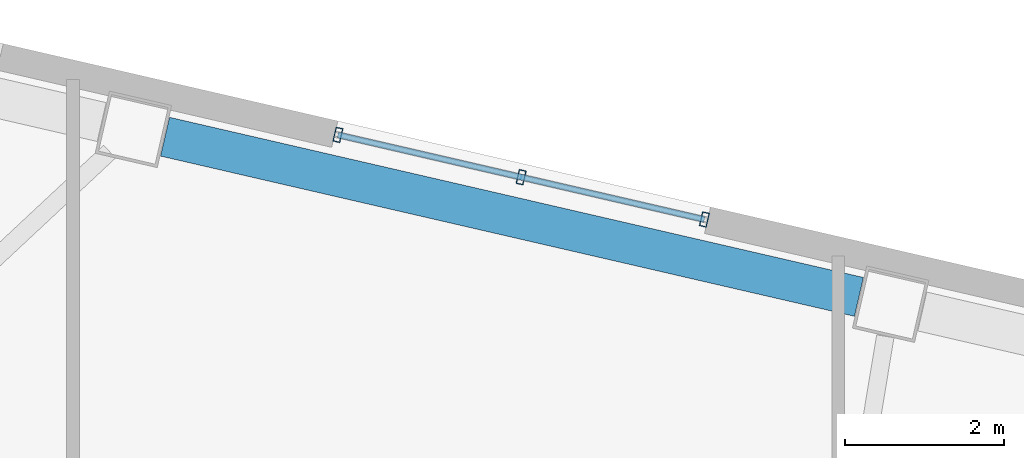
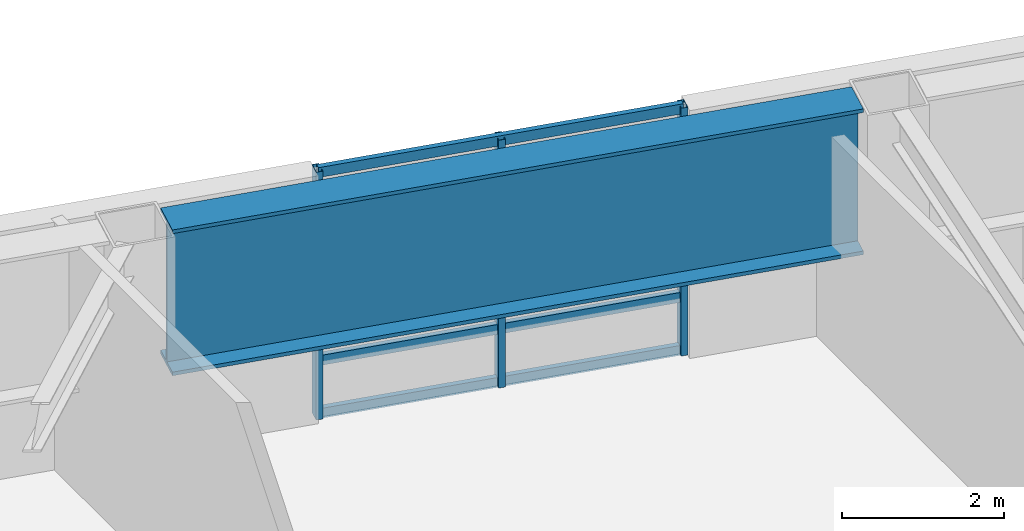
# One storey, part 6 of 21: 6 members, 1 beam, 1 element without a shape of its own.
"""IFC4 building model written with IfcOpenShell, lengths in metres."""

from ifc_helpers import new_model, si_unit, direction, frame, origin, origin_2d, place, context, subcontext, project, spatial, hollow_rectangle, i_section, extrude, material, layer, layer_set, material_profile, profile_set, type_object, element, aggregate, save


model = new_model("IFC4")

# Units and contexts
model_context = context("Model", 3, precision=1e-05, world=origin(), true_north=direction((0.0, 1.0)))
body_context = subcontext(model_context, "Body", "Model", "MODEL_VIEW")
ifc_project = project(units=[si_unit("LENGTHUNIT", "METRE"), si_unit("AREAUNIT", "SQUARE_METRE"), si_unit("VOLUMEUNIT", "CUBIC_METRE"), si_unit("PLANEANGLEUNIT", "RADIAN"), si_unit("MASSUNIT", "GRAM", prefix="KILO")], contexts=[model_context])

# Site, building, storey
site_placement = place(None, origin())
site = spatial("IfcSite", under=ifc_project, at=site_placement, CompositionType="ELEMENT")
building_placement = place(site_placement, origin())
building = spatial("IfcBuilding", under=site, at=building_placement, Name="Tavrogorsk Clinical Tower", CompositionType="ELEMENT")
storey_placement = place(building_placement, frame((0.0, 0.0, 59.39990234375)))
storey = spatial("IfcBuildingStorey", under=building, at=storey_placement, Name="L12", CompositionType="ELEMENT", Elevation=59.39990234375)

# Curtain wall, members
ifc_material_1 = material(Name="Anodised aluminium and triple IGU glazing", Category="aluminium")
ifc_layer = layer(ifc_material_1, 0.179931640625)
ifc_layer_set = layer_set([ifc_layer], Name="Anodised aluminium and triple IGU glazing")
curtain_wall_type = type_object("IfcCurtainWallType", Name="CW2_NorthSlot", PredefinedType="NOTDEFINED", material=ifc_layer_set)
curtain_wall_placement = place(storey_placement, origin())
curtain_wall = element("IfcCurtainWall", 1, at=curtain_wall_placement, inside=storey, type_object=curtain_wall_type, Name="L12 Curtain Wall CW-L12-N-SLOT-1", PredefinedType="NOTDEFINED")
ifc_material_2 = material(Name="Anodised aluminium alloy AW-6060", Category="aluminium")
ifc_material_profile_1 = material_profile(ifc_material_2, hollow_rectangle(XDim=0.090087890625, YDim=0.179931640625, WallThickness=0.00634765625, at=origin_2d()), Name="RHS-180x90x6.3")
ifc_profile_set_1 = profile_set([ifc_material_profile_1], Name="Anodised aluminium alloy AW-6060")
member_type_1 = type_object("IfcMemberType", Name="CwMullion_180x90", PredefinedType="MULLION", material=ifc_profile_set_1)
member_1_placement = place(storey_placement, frame((-3.879638671875, 24.640625, 0.0), z_axis=(0.0, 0.0, 1.0), x_axis=(-0.974370102963, 0.224950888978, 0.0)))
member_1 = element("IfcMember", 2, at=member_1_placement, type_object=member_type_1, Name="CW-L12-N-SLOT-1 Mullion 1", PredefinedType="MULLION", context=body_context, shape_type="SweptSolid", body=[
    extrude(hollow_rectangle(XDim=0.090087890625, YDim=0.179931640625, WallThickness=0.00634765625, at=origin_2d()), origin(), (0.0, 0.0, 1.0), 3.739990234375),
])
member_2_placement = place(storey_placement, frame((-6.17822265625, 25.171142578125, 0.0), z_axis=(0.0, 0.0, 1.0), x_axis=(-0.974370102963, 0.224950888978, 0.0)))
member_2 = element("IfcMember", 3, at=member_2_placement, type_object=member_type_1, Name="CW-L12-N-SLOT-1 Mullion 2", PredefinedType="MULLION", context=body_context, shape_type="SweptSolid", body=[
    extrude(hollow_rectangle(XDim=0.090087890625, YDim=0.179931640625, WallThickness=0.00634765625, at=origin_2d()), origin(), (0.0, 0.0, 1.0), 3.739990234375),
])
member_3_placement = place(storey_placement, frame((-8.476806640625, 25.701904296875, 0.0), z_axis=(0.0, 0.0, 1.0), x_axis=(-0.974370102963, 0.224950888978, 0.0)))
member_3 = element("IfcMember", 4, at=member_3_placement, type_object=member_type_1, Name="CW-L12-N-SLOT-1 Mullion 3", PredefinedType="MULLION", context=body_context, shape_type="SweptSolid", body=[
    extrude(hollow_rectangle(XDim=0.090087890625, YDim=0.179931640625, WallThickness=0.00634765625, at=origin_2d()), origin(), (0.0, 0.0, 1.0), 3.739990234375),
])
ifc_material_3 = material(Name="Anodised aluminium alloy AW-6060", Category="aluminium")
ifc_material_profile_2 = material_profile(ifc_material_3, hollow_rectangle(XDim=0.074951171875, YDim=0.14990234375, WallThickness=0.0048828125, at=origin_2d()), Name="RHS-150x75x5")
ifc_profile_set_2 = profile_set([ifc_material_profile_2], Name="Anodised aluminium alloy AW-6060")
member_type_2 = type_object("IfcMemberType", Name="CwTransom_150x75", PredefinedType="USERDEFINED", material=ifc_profile_set_2)
member_4_placement = place(storey_placement, frame((-3.879638671875, 24.640625, 0.050048828125), z_axis=(-0.974372877948, 0.22493886885, 0.0), x_axis=(-0.22493886885, -0.974372877948, 0.0)))
member_4 = element("IfcMember", 5, at=member_4_placement, type_object=member_type_2, Name="CW-L12-N-SLOT-1 Transom 1", ObjectType="TRANSOM", PredefinedType="USERDEFINED", context=body_context, shape_type="SweptSolid", body=[
    extrude(hollow_rectangle(XDim=0.074951171875, YDim=0.14990234375, WallThickness=0.0048828125, at=origin_2d()), origin(), (0.0, 0.0, 1.0), 4.718017578125),
])
member_5_placement = place(storey_placement, frame((-3.879638671875, 24.640625, 0.85009765625), z_axis=(-0.974372877948, 0.22493886885, 0.0), x_axis=(-0.22493886885, -0.974372877948, 0.0)))
member_5 = element("IfcMember", 6, at=member_5_placement, type_object=member_type_2, Name="CW-L12-N-SLOT-1 Transom 2", ObjectType="TRANSOM", PredefinedType="USERDEFINED", context=body_context, shape_type="SweptSolid", body=[
    extrude(hollow_rectangle(XDim=0.074951171875, YDim=0.14990234375, WallThickness=0.0048828125, at=origin_2d()), origin(), (0.0, 0.0, 1.0), 4.718017578125),
])
member_6_placement = place(storey_placement, frame((-3.879638671875, 24.640625, 3.690185546875), z_axis=(-0.974372877948, 0.22493886885, 0.0), x_axis=(-0.22493886885, -0.974372877948, 0.0)))
member_6 = element("IfcMember", 7, at=member_6_placement, type_object=member_type_2, Name="CW-L12-N-SLOT-1 Transom 3", ObjectType="TRANSOM", PredefinedType="USERDEFINED", context=body_context, shape_type="SweptSolid", body=[
    extrude(hollow_rectangle(XDim=0.074951171875, YDim=0.14990234375, WallThickness=0.0048828125, at=origin_2d()), origin(), (0.0, 0.0, 1.0), 4.718017578125),
])
aggregate(curtain_wall, [member_1, member_2, member_3, member_4, member_5, member_6])

# Beam
ifc_material_4 = material(Name="Structural steel S440", Category="steel")
ifc_material_profile_3 = material_profile(ifc_material_4, i_section(OverallWidth=0.5, OverallDepth=2.199951171875, WebThickness=0.035888671875, FlangeThickness=0.054931640625, at=origin_2d()), Name="DK-2200x500x36x55")
ifc_profile_set_3 = profile_set([ifc_material_profile_3], Name="Structural steel S440")
beam_type = type_object("IfcBeamType", Name="TransferGirder_DK2200", PredefinedType="USERDEFINED", material=ifc_profile_set_3)
beam_placement = place(storey_placement, frame((-1.941162109375, 23.669677734375, 2.64013671875), z_axis=(-0.974372766602, 0.224939351168, 0.0), x_axis=(-0.224939351168, -0.974372766602, 0.0)))
element("IfcBeam", 8, at=beam_placement, inside=storey, type_object=beam_type, Name="L12 Perimeter Spandrel N5-N6", ObjectType="GIRDER", PredefinedType="USERDEFINED", context=body_context, shape_type="SweptSolid", body=[
    extrude(i_section(OverallWidth=0.5, OverallDepth=2.199951171875, WebThickness=0.035888671875, FlangeThickness=0.054931640625, at=origin_2d()), origin(), (0.0, 0.0, 1.0), 8.9326171875),
])

save(model, "model.ifc")
